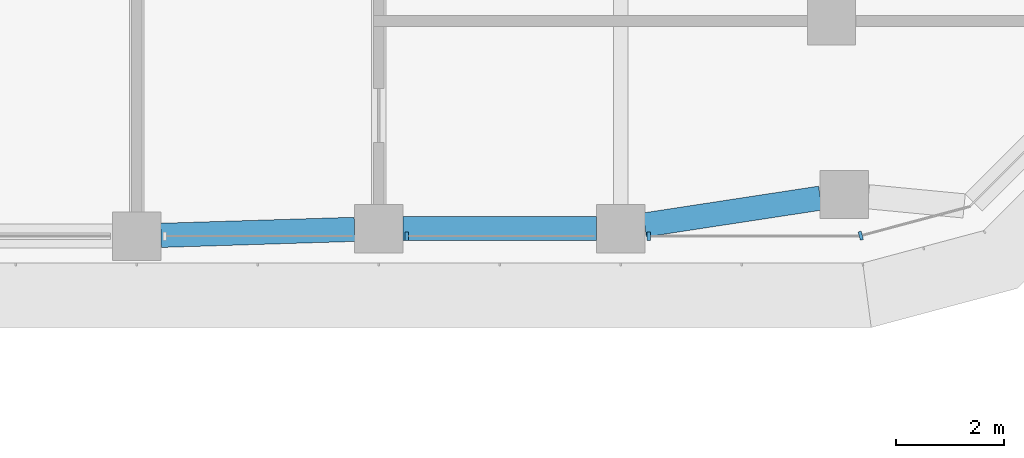
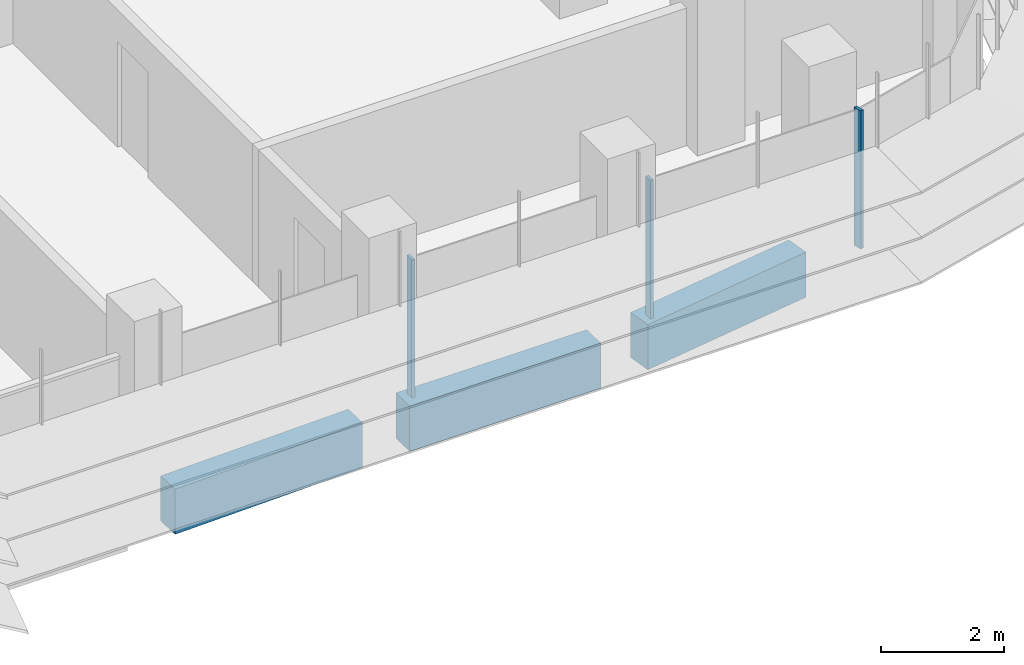
# One storey, part 5 of 23: 3 beams, 3 members, 2 elements without a shape of their own.
"""IFC4 building model written with IfcOpenShell, lengths in metres."""

from ifc_helpers import new_model, si_unit, direction, frame, origin, origin_2d, place, context, subcontext, project, spatial, polyline, rectangle, outline, extrude, source, transform, mapped, material, material_profile, profile_set, type_object, element, aggregate, save


model = new_model("IFC4")

# Units and contexts
model_context = context("Model", 3, precision=1e-05, world=origin(), true_north=direction((0.0, 1.0)))
body_context = subcontext(model_context, "Body", "Model", "MODEL_VIEW")
ifc_project = project(units=[si_unit("LENGTHUNIT", "METRE"), si_unit("AREAUNIT", "SQUARE_METRE"), si_unit("VOLUMEUNIT", "CUBIC_METRE"), si_unit("PLANEANGLEUNIT", "RADIAN"), si_unit("MASSUNIT", "GRAM", prefix="KILO")], contexts=[model_context])

# Site, building, storey
site_placement = place(None, origin())
site = spatial("IfcSite", under=ifc_project, at=site_placement, CompositionType="ELEMENT")
building_placement = place(site_placement, origin())
building = spatial("IfcBuilding", under=site, at=building_placement, Name="Zarbagh Exchange Tower", CompositionType="ELEMENT")
storey_placement = place(building_placement, frame((0.0, 0.0, 90.39990234375)))
storey = spatial("IfcBuildingStorey", under=building, at=storey_placement, Name="L20", CompositionType="ELEMENT", Elevation=90.39990234375)

# Beams
ifc_material_1 = material(Name="Concrete C60/75", Category="concrete")
ifc_material_profile = material_profile(ifc_material_1, rectangle(XDim=0.449951171875, YDim=0.89990234375, at=origin_2d()), Name="RC spandrel beam 450 x 900 C60/75")
ifc_profile_set = profile_set([ifc_material_profile], Name="Concrete C60/75")
beam_type = type_object("IfcBeamType", Name="RC spandrel beam 450 x 900 C60/75", PredefinedType="SPANDREL", material=ifc_profile_set)
beam_1_placement = place(storey_placement, frame((28.463134765625, -5.54296875, -0.599853515625), z_axis=(-0.988543505948, -0.150936201252, 0.0), x_axis=(0.150936201252, -0.988543505948, 0.0)))
element("IfcBeam", 1, at=beam_1_placement, inside=storey, type_object=beam_type, Name="RC spandrel beam", PredefinedType="SPANDREL", context=body_context, shape_type="SweptSolid", body=[
    extrude(rectangle(XDim=0.449951171875, YDim=0.89990234375, at=origin_2d()), origin(), (0.0, 0.0, 1.0), 3.30615234375),
])
beam_2_placement = place(storey_placement, frame((24.300048828125, -6.110107421875, -0.599853515625), z_axis=(-1.0, 0.0, 0.0), x_axis=(0.0, -1.0, 0.0)))
element("IfcBeam", 2, at=beam_2_placement, inside=storey, type_object=beam_type, Name="RC spandrel beam", PredefinedType="SPANDREL", context=body_context, shape_type="SweptSolid", body=[
    extrude(rectangle(XDim=0.449951171875, YDim=0.89990234375, at=origin_2d()), origin(), (0.0, 0.0, 1.0), 3.60009765625),
])
beam_3_placement = place(storey_placement, frame((19.80029296875, -6.1240234375, -0.599853515625), z_axis=(-0.999516035224, -0.031107801747, 0.0), x_axis=(0.031107801747, -0.999516035224, 0.0)))
element("IfcBeam", 3, at=beam_3_placement, inside=storey, type_object=beam_type, Name="RC spandrel beam", PredefinedType="SPANDREL", context=body_context, shape_type="SweptSolid", body=[
    extrude(rectangle(XDim=0.449951171875, YDim=0.89990234375, at=origin_2d()), origin(), (0.0, 0.0, 1.0), 3.602294921875),
])

# Curtain wall, members
ifc_material_2 = material(Name="Anodised aluminium frame and glazing", Category="aluminium")
curtain_wall_type = type_object("IfcCurtainWallType", Name="CWA Ribbon glazing, lower zones", PredefinedType="NOTDEFINED", material=ifc_material_2)
curtain_wall_1_placement = place(storey_placement, origin())
curtain_wall_1 = element("IfcCurtainWall", 4, at=curtain_wall_1_placement, inside=storey, type_object=curtain_wall_type, Name="CWA08 curtain wall", PredefinedType="NOTDEFINED")
ifc_material_3 = material(Name="Anodised aluminium frame", Category="aluminium")
member_type = type_object("IfcMemberType", Name="MUA Mullion, anodised aluminium frame", PredefinedType="MULLION", material=ifc_material_3)
shared_shape = source(origin(), body_context, "Body", "SweptSolid", [
    extrude(outline(polyline([(0.0, -0.080078125), (0.06005859375, -0.080078125), (0.06005859375, 0.080078125), (0.0, 0.080078125), (0.0, -0.080078125)])), origin(), (0.0, 0.0, 1.0), 2.75),
])
placement = place(storey_placement, origin())
member_1 = element("IfcMember", 5, at=placement, type_object=member_type, Name="CWA08 mullion 3.1", PredefinedType="MULLION", context=body_context, shape_type="MappedRepresentation", body=[
    mapped(shared_shape, transform((20.739990234375, -6.25, 0.0), x_axis=(1.0, 0.0, 0.0), y_axis=(0.0, 1.0, 0.0), z_axis=(0.0, 0.0, 1.0))),
])
member_2 = element("IfcMember", 6, at=placement, type_object=member_type, Name="CWA08 mullion 4.1", PredefinedType="MULLION", context=body_context, shape_type="MappedRepresentation", body=[
    mapped(shared_shape, transform((25.239990234375, -6.25, 0.0), x_axis=(1.0, 0.0, 0.0), y_axis=(0.0, 1.0, 0.0), z_axis=(0.0, 0.0, 1.0))),
])
aggregate(curtain_wall_1, [member_1, member_2])

# Curtain wall, member
curtain_wall_2_placement = place(storey_placement, origin())
curtain_wall_2 = element("IfcCurtainWall", 7, at=curtain_wall_2_placement, inside=storey, type_object=curtain_wall_type, Name="CWA09 curtain wall", PredefinedType="NOTDEFINED")
member_3 = element("IfcMember", 8, at=placement, type_object=member_type, Name="CWA09 mullion 1.1", PredefinedType="MULLION", context=body_context, shape_type="MappedRepresentation", body=[
    mapped(shared_shape, transform((29.18408203125, -6.25, 0.0), x_axis=(0.965924289636, 0.258824779902, 0.0), y_axis=(-0.258824779902, 0.965924289636, 0.0), z_axis=(0.0, 0.0, 1.0))),
])
aggregate(curtain_wall_2, [member_3])

save(model, "model.ifc")
